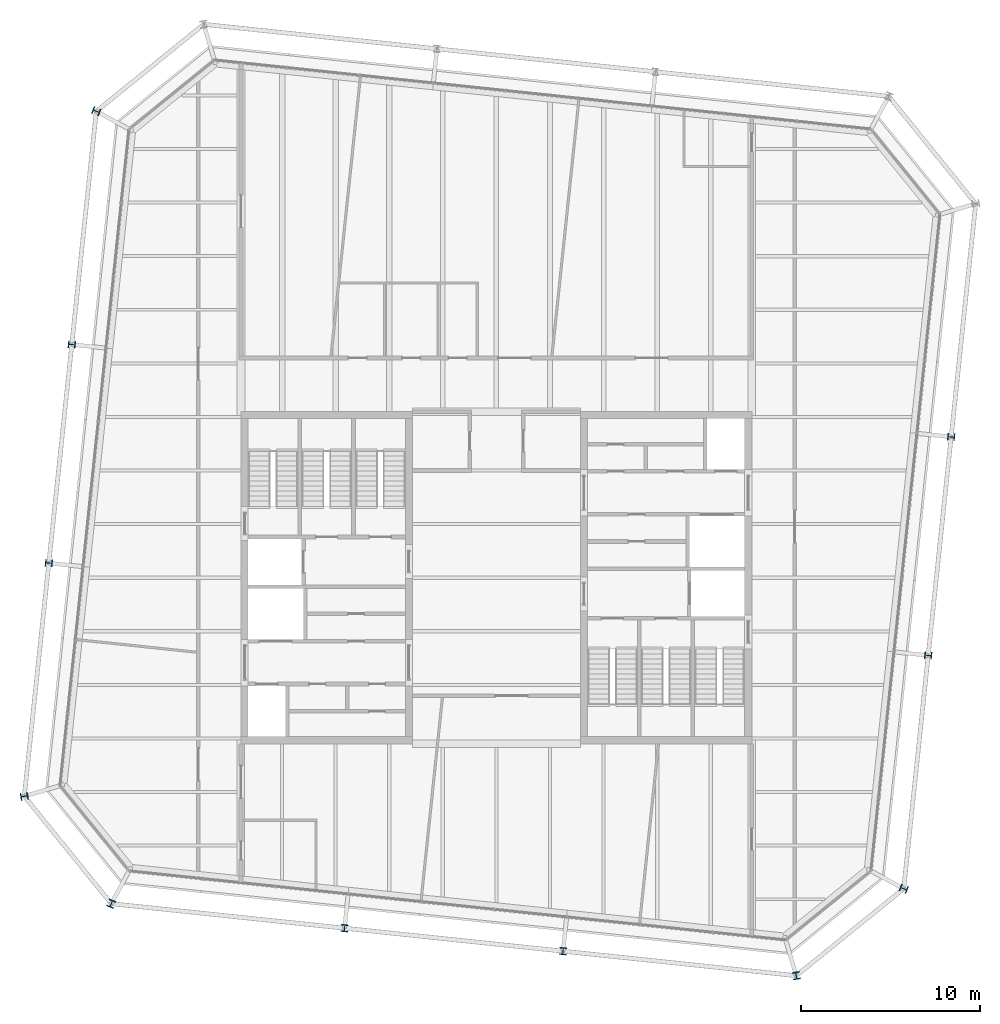
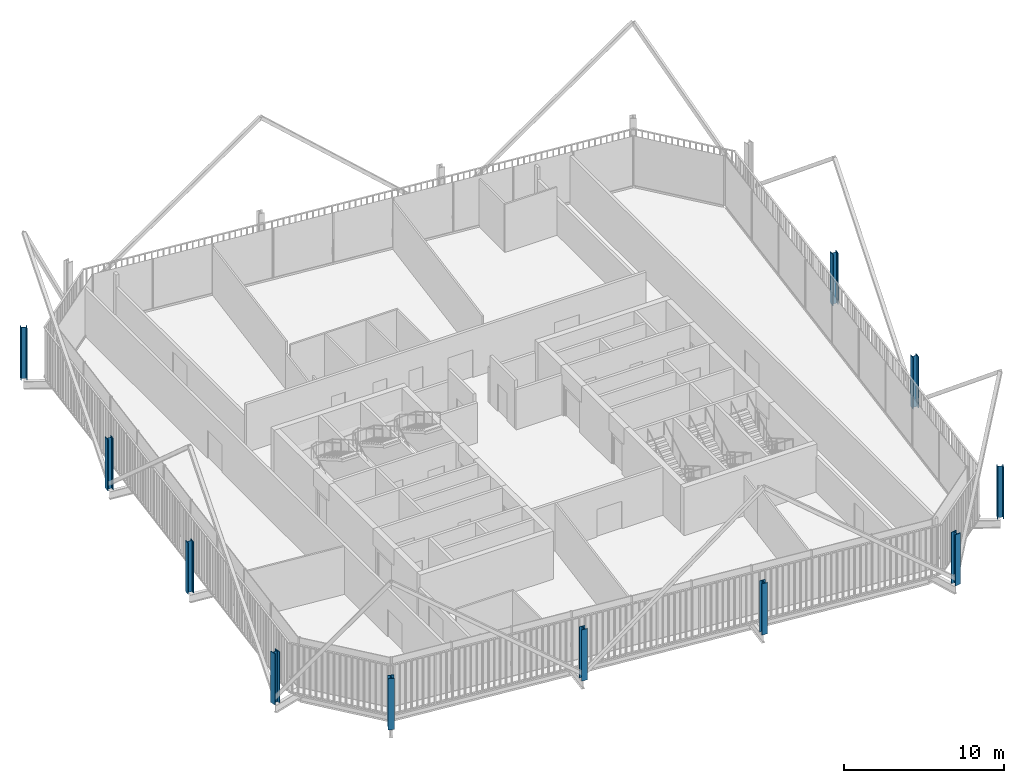
# One storey, part 1 of 21: 11 columns.
"""IFC4 building model written with IfcOpenShell, lengths in metres."""

from ifc_helpers import new_model, si_unit, direction, frame, origin, origin_2d, place, context, subcontext, project, spatial, i_section, extrude, material, material_profile, profile_set, type_object, element, save


model = new_model("IFC4")

# Units and contexts
model_context = context("Model", 3, precision=1e-05, world=origin(), true_north=direction((0.0, 1.0)))
body_context = subcontext(model_context, "Body", "Model", "MODEL_VIEW")
ifc_project = project(units=[si_unit("LENGTHUNIT", "METRE"), si_unit("AREAUNIT", "SQUARE_METRE"), si_unit("VOLUMEUNIT", "CUBIC_METRE"), si_unit("PLANEANGLEUNIT", "RADIAN"), si_unit("MASSUNIT", "GRAM", prefix="KILO")], contexts=[model_context])

# Site, building, storey
site_placement = place(None, origin())
site = spatial("IfcSite", under=ifc_project, at=site_placement, CompositionType="ELEMENT")
building_placement = place(site_placement, origin())
building = spatial("IfcBuilding", under=site, at=building_placement, Name="Millrace Tower", CompositionType="ELEMENT")
storey_placement = place(building_placement, frame((0.0, 0.0, 307.199951171875)))
storey = spatial("IfcBuildingStorey", under=building, at=storey_placement, Name="L71", CompositionType="ELEMENT", Elevation=307.199951171875)

# Columns
ifc_material_1 = material(Name="Steel ASTM A913 Grade 65", Category="steel")
ifc_material_profile_1 = material_profile(ifc_material_1, i_section(OverallWidth=0.4013671875, OverallDepth=0.398681640625, WebThickness=0.02490234375, FlangeThickness=0.03955078125, FilletRadius=0.01513671875, at=origin_2d()))
ifc_profile_set_1 = profile_set([ifc_material_profile_1], Name="Steel ASTM A913 Grade 65")
column_type_1 = type_object("IfcColumnType", Name="Exoskeleton column W14x211", PredefinedType="COLUMN", material=ifc_profile_set_1)
for number, where, z_axis, x_axis, name in (
    (1, (-8.50341796875, -19.62158203125, 0.0), (0.0, 0.0, 1.0), (0.994521897246, -0.104528445407, 0.0), "COL-E-L71-X03"),
    (2, (3.729248046875, -20.9072265625, 0.0), (0.0, 0.0, 1.0), (0.994521897246, -0.104528445407, 0.0), "COL-E-L71-X04"),
    (3, (24.171630859375, -4.353271484375, 0.0), (0.0, 0.0, 1.0), (0.104528445407, 0.994521897246, 0.0), "COL-E-L71-X07"),
    (4, (25.457275390625, 7.879150390625, 0.0), (0.0, 0.0, 1.0), (0.104528445407, 0.994521897246, 0.0), "COL-E-L71-X08"),
    (5, (-23.771484375, 13.053466796875, 0.0), (0.0, 0.0, 1.0), (-0.104528445407, -0.994521897246, 0.0), "COL-E-L71-X15"),
    (6, (-25.057373046875, 0.82080078125, 0.0), (0.0, 0.0, 1.0), (-0.104528445407, -0.994521897246, 0.0), "COL-E-L71-X16"),
):
    element("IfcColumn", number, at=place(storey_placement, frame(where, z_axis=z_axis, x_axis=x_axis)), inside=storey, type_object=column_type_1, Name=name, PredefinedType="COLUMN", context=body_context, shape_type="SweptSolid", body=[
        extrude(i_section(OverallWidth=0.4013671875, OverallDepth=0.398681640625, WebThickness=0.02490234375, FlangeThickness=0.03955078125, FilletRadius=0.01513671875, at=origin_2d()), origin(), (0.0, 0.0, 1.0), 3.900146484375),
    ])
ifc_material_2 = material(Name="Steel ASTM A913 Grade 65", Category="steel")
ifc_material_profile_2 = material_profile(ifc_material_2, i_section(OverallWidth=0.406494140625, OverallDepth=0.41650390625, WebThickness=0.030029296875, FlangeThickness=0.048095703125, FilletRadius=0.01513671875, at=origin_2d()))
ifc_profile_set_2 = profile_set([ifc_material_profile_2], Name="Steel ASTM A913 Grade 65")
column_type_2 = type_object("IfcColumnType", Name="Exoskeleton column W14x257", PredefinedType="COLUMN", material=ifc_profile_set_2)
for number, where, z_axis, x_axis, name in (
    (7, (-26.429443359375, -12.23583984375, 0.0), (0.0, 0.0, 1.0), (0.18038747256, -0.983595628164, 0.0), "COL-E-L71-X01"),
    (8, (-21.559814453125, -18.249267578125, 0.0), (0.0, 0.0, 1.0), (0.92459700658, -0.380946683176, 0.0), "COL-E-L71-X02"),
    (9, (16.78564453125, -22.279541015625, 0.0), (0.0, 0.0, 1.0), (0.983595628164, 0.18038747256, 0.0), "COL-E-L71-X05"),
    (10, (22.79931640625, -17.409912109375, 0.0), (0.0, 0.0, 1.0), (0.380946683176, 0.92459700658, 0.0), "COL-E-L71-X06"),
    (11, (-22.399169921875, 26.10986328125, 0.0), (0.0, 0.0, 1.0), (-0.380946683176, -0.92459700658, 0.0), "COL-E-L71-X14"),
):
    element("IfcColumn", number, at=place(storey_placement, frame(where, z_axis=z_axis, x_axis=x_axis)), inside=storey, type_object=column_type_2, Name=name, PredefinedType="COLUMN", context=body_context, shape_type="SweptSolid", body=[
        extrude(i_section(OverallWidth=0.406494140625, OverallDepth=0.41650390625, WebThickness=0.030029296875, FlangeThickness=0.048095703125, FilletRadius=0.01513671875, at=origin_2d()), origin(), (0.0, 0.0, 1.0), 3.900146484375),
    ])

save(model, "model.ifc")
